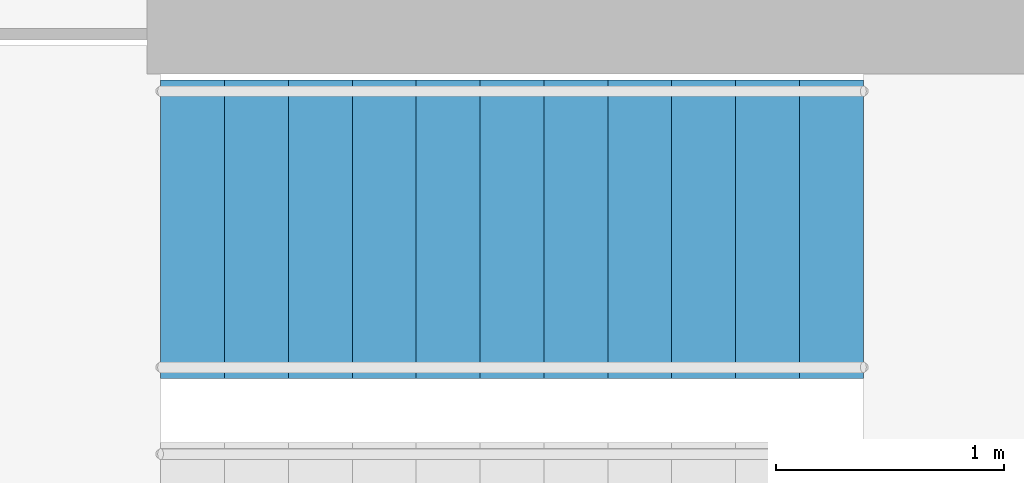
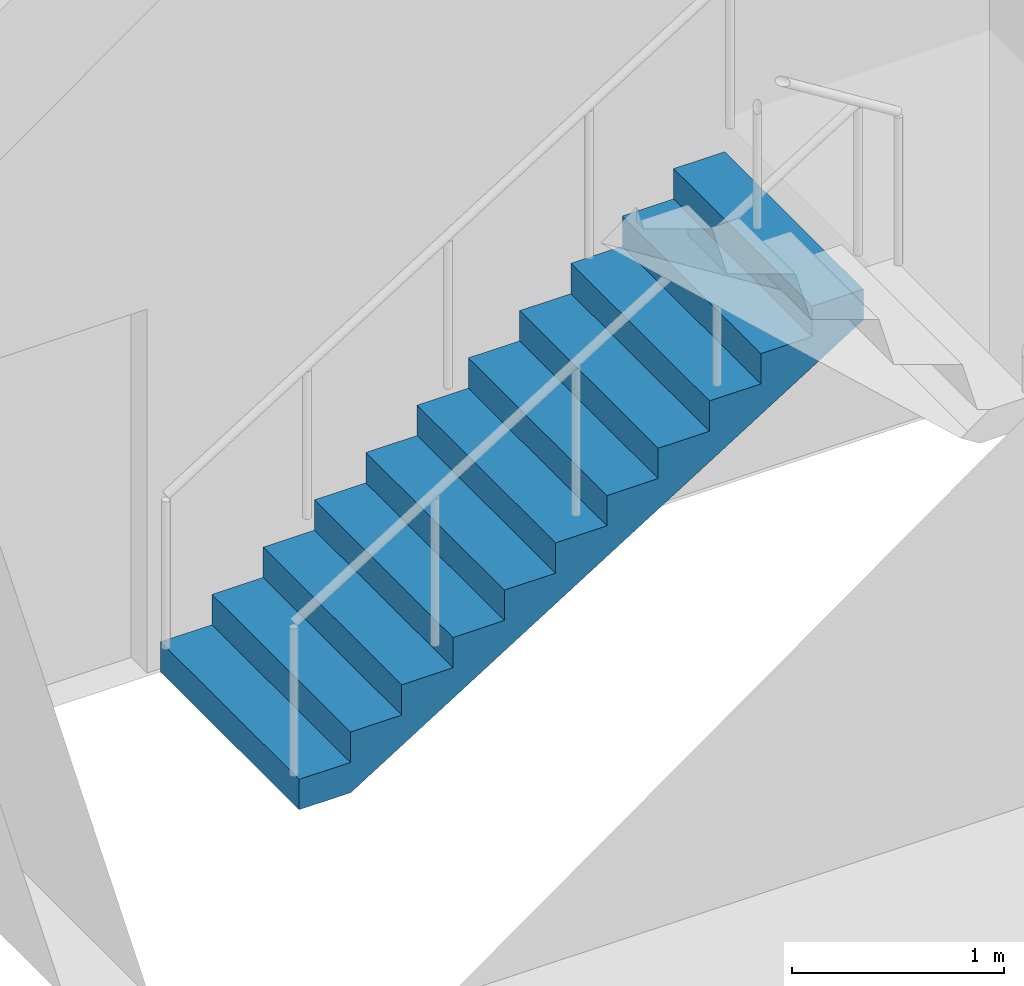
# One storey, part 11 of 14: 1 stair flight, 1 element without a shape of its own.
"""IFC4 building model written with IfcOpenShell, lengths in metres."""

from ifc_helpers import new_model, si_unit, direction, frame, origin, place, context, subcontext, project, spatial, polyline, outline, extrude, material, type_object, element, aggregate, save


model = new_model("IFC4")

# Units and contexts
model_context = context("Model", 3, precision=1e-05, world=origin(), true_north=direction((0.0, 1.0)))
body_context = subcontext(model_context, "Body", "Model", "MODEL_VIEW")
ifc_project = project(units=[si_unit("LENGTHUNIT", "METRE"), si_unit("AREAUNIT", "SQUARE_METRE"), si_unit("VOLUMEUNIT", "CUBIC_METRE"), si_unit("PLANEANGLEUNIT", "RADIAN"), si_unit("MASSUNIT", "GRAM", prefix="KILO")], contexts=[model_context])

# Site, building, storey
site_placement = place(None, origin())
site = spatial("IfcSite", under=ifc_project, at=site_placement, CompositionType="ELEMENT")
building_placement = place(site_placement, origin())
building = spatial("IfcBuilding", under=site, at=building_placement, Name="Qaws Media Tower", CompositionType="ELEMENT")
storey_placement = place(building_placement, frame((0.0, 0.0, 227.60009765625)))
storey = spatial("IfcBuildingStorey", under=building, at=storey_placement, Name="L52", CompositionType="ELEMENT", Elevation=227.60009765625)

# Stair, stair flight
ifc_material_1 = material(Name="Concrete C40/50", Category="concrete")
stair_type = type_object("IfcStairType", Name="Exit stair", PredefinedType="HALF_TURN_STAIR", material=ifc_material_1)
stair_placement = place(storey_placement, origin())
stair = element("IfcStair", 1, at=stair_placement, inside=storey, type_object=stair_type, Name="S2 exit stair L52", PredefinedType="HALF_TURN_STAIR")
ifc_material_2 = material(Name="Concrete C40/50", Category="concrete")
stair_flight_type = type_object("IfcStairFlightType", Name="Stair flight 1310", PredefinedType="STRAIGHT", material=ifc_material_2)
stair_flight_placement = place(storey_placement, frame((66.159912109375, 47.64501953125, 0.0), z_axis=(0.0, 0.0, 1.0), x_axis=(1.0, 0.0, 0.0)))
stair_flight = element("IfcStairFlight", 2, at=stair_flight_placement, type_object=stair_flight_type, Name="S2 flight 1", NumberOfRisers=12, NumberOfTreads=11, PredefinedType="STRAIGHT", RiserHeight=0.175, TreadLength=0.28, context=body_context, shape_type="SweptSolid", body=[
    extrude(outline(polyline([(0.0, 0.0), (0.0, 0.175048828125), (0.280029296875, 0.175048828125), (0.280029296875, 0.35009765625), (0.56005859375, 0.35009765625), (0.56005859375, 0.52490234375), (0.840087890625, 0.52490234375), (0.840087890625, 0.699951171875), (1.1201171875, 0.699951171875), (1.1201171875, 0.875), (1.39990234375, 0.875), (1.39990234375, 1.050048828125), (1.679931640625, 1.050048828125), (1.679931640625, 1.22509765625), (1.9599609375, 1.22509765625), (1.9599609375, 1.39990234375), (2.239990234375, 1.39990234375), (2.239990234375, 1.574951171875), (2.52001953125, 1.574951171875), (2.52001953125, 1.75), (2.800048828125, 1.75), (2.800048828125, 1.925048828125), (3.080078125, 1.925048828125), (3.080078125, 2.10009765625), (3.080078125, 1.748291015625), (0.28271484375, 0.0), (0.0, 0.0)])), frame((0.0, 0.655029296875, 0.0), z_axis=(0.0, -1.0, 0.0), x_axis=(1.0, 0.0, 0.0)), (0.0, 0.0, 1.0), 1.31005859375),
])
aggregate(stair, [stair_flight])

save(model, "model.ifc")
